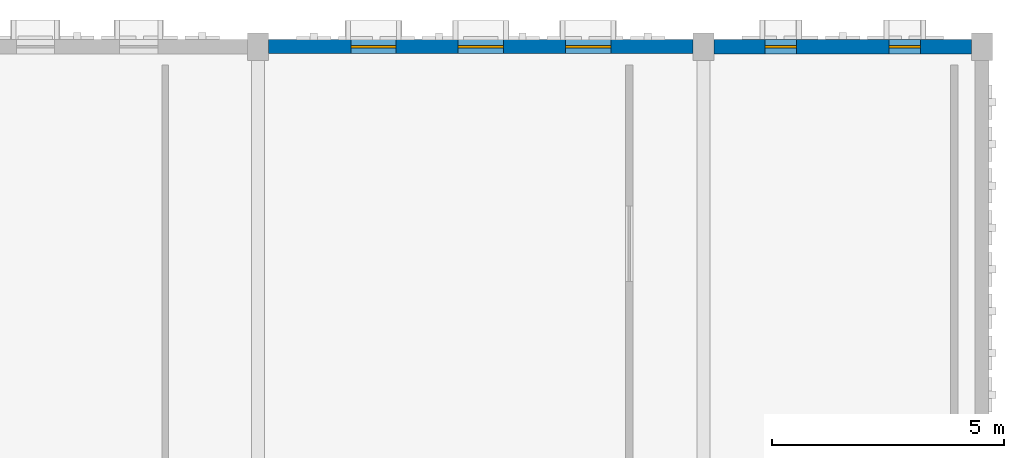
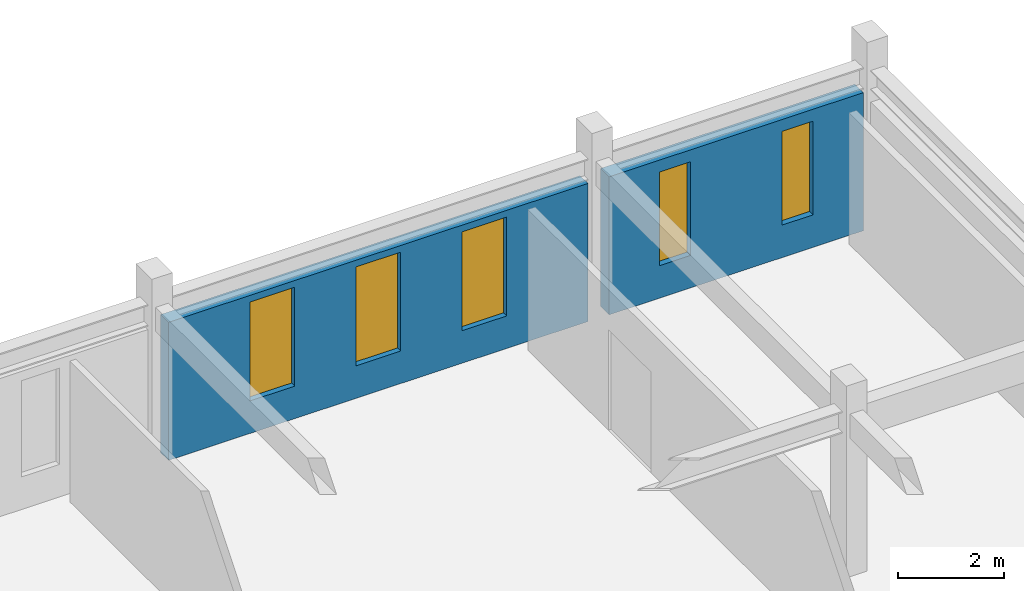
# One storey, part 51 of 69: 5 windows, 2 walls, 5 openings.
"""IFC4 building model written with IfcOpenShell, lengths in metres."""

from ifc_helpers import new_model, si_unit, direction, frame, frame_2d, origin, place, context, subcontext, project, spatial, rectangle, extrude, material, layer, layer_set, type_object, element, fill, save


model = new_model("IFC4")

# Units and contexts
model_context = context("Model", 3, precision=1e-05, world=origin(), true_north=direction((0.0, 1.0)))
body_context = subcontext(model_context, "Body", "Model", "MODEL_VIEW")
ifc_project = project(units=[si_unit("LENGTHUNIT", "METRE"), si_unit("AREAUNIT", "SQUARE_METRE"), si_unit("VOLUMEUNIT", "CUBIC_METRE"), si_unit("PLANEANGLEUNIT", "RADIAN"), si_unit("MASSUNIT", "GRAM", prefix="KILO")], contexts=[model_context])

# Site, building, storey
site_placement = place(None, origin())
site = spatial("IfcSite", under=ifc_project, at=site_placement, CompositionType="ELEMENT")
building_placement = place(site_placement, origin())
building = spatial("IfcBuilding", under=site, at=building_placement, Name="Nzembalo Square Collegiate School", CompositionType="ELEMENT")
storey_placement = place(building_placement, frame((0.0, 0.0, 5.10009765625)))
storey = spatial("IfcBuildingStorey", under=building, at=storey_placement, Name="L01", CompositionType="ELEMENT", Elevation=5.10009765625)

# Wall, openings, windows
ifc_material_1 = material(Name="Concrete C35/45", Category="concrete")
ifc_layer_1 = layer(ifc_material_1, 0.320068359375, Name="Concrete C35/45")
ifc_layer_set_1 = layer_set([ifc_layer_1], Name="Concrete C35/45")
wall_type_1 = type_object("IfcWallType", Name="W03", PredefinedType="SOLIDWALL", material=ifc_layer_set_1)
wall_1_placement = place(storey_placement, frame((159.826904296875, 114.0, 0.0), z_axis=(0.0, 0.0, 1.0), x_axis=(1.0, 0.0, 0.0)))
wall_1 = element("IfcWall", 1, at=wall_1_placement, inside=storey, type_object=wall_type_1, Name="Exterior wall W03 L01", PredefinedType="SOLIDWALL", context=body_context, shape_type="SweptSolid", body=[
    extrude(rectangle(XDim=5.546142578125, YDim=0.320068359375, at=frame_2d((2.77294921875, 0.0))), origin(), (0.0, 0.0, 1.0), 3.183837890625),
])
opening_1_placement = place(wall_1_placement, frame((1.096435546875, 0.0, 0.75)))
opening_1 = element("IfcOpeningElement", 2, at=opening_1_placement, cuts=wall_1, Name="Opening WN-L01-354", PredefinedType="OPENING", context=body_context, shape_type="SweptSolid", body=[
    extrude(rectangle(XDim=0.679931640625, YDim=2.159912109375, at=frame_2d((0.33984375, 1.080078125))), frame((0.0, 0.169921875, 0.0), z_axis=(0.0, -1.0, 0.0), x_axis=(1.0, 0.0, 0.0)), (0.0, 0.0, 1.0), 0.340087890625),
])
opening_2_placement = place(wall_1_placement, frame((3.76953125, 0.0, 0.75)))
opening_2 = element("IfcOpeningElement", 3, at=opening_2_placement, cuts=wall_1, Name="Opening WN-L01-355", PredefinedType="OPENING", context=body_context, shape_type="SweptSolid", body=[
    extrude(rectangle(XDim=0.679931640625, YDim=2.159912109375, at=frame_2d((0.33984375, 1.080078125))), frame((0.0, 0.169921875, 0.0), z_axis=(0.0, -1.0, 0.0), x_axis=(1.0, 0.0, 0.0)), (0.0, 0.0, 1.0), 0.340087890625),
])
ifc_material_2 = material(Name="Powder-coated aluminium and low-E double glazing", Category="aluminium")
window_type_1 = type_object("IfcWindowType", Name="WN59", PartitioningType="SINGLE_PANEL", PredefinedType="WINDOW", material=ifc_material_2)
window_1_placement = place(opening_1_placement, origin())
window_1 = element("IfcWindow", 4, at=window_1_placement, inside=storey, type_object=window_type_1, Name="Lancet window WN-L01-354", OverallHeight=2.159912109375, OverallWidth=0.679931640625, PartitioningType="SINGLE_PANEL", PredefinedType="WINDOW", context=body_context, shape_type="SweptSolid", body=[
    extrude(rectangle(XDim=0.679931640625, YDim=2.159912109375, at=frame_2d((0.33984375, 1.080078125))), frame((0.0, 0.030029296875, 0.0), z_axis=(0.0, -1.0, 0.0), x_axis=(1.0, 0.0, 0.0)), (0.0, 0.0, 1.0), 0.06005859375),
])
fill(opening_1, window_1)
window_2_placement = place(opening_2_placement, origin())
window_2 = element("IfcWindow", 5, at=window_2_placement, inside=storey, type_object=window_type_1, Name="Lancet window WN-L01-355", OverallHeight=2.159912109375, OverallWidth=0.679931640625, PartitioningType="SINGLE_PANEL", PredefinedType="WINDOW", context=body_context, shape_type="SweptSolid", body=[
    extrude(rectangle(XDim=0.679931640625, YDim=2.159912109375, at=frame_2d((0.33984375, 1.080078125))), frame((0.0, 0.030029296875, 0.0), z_axis=(0.0, -1.0, 0.0), x_axis=(1.0, 0.0, 0.0)), (0.0, 0.0, 1.0), 0.06005859375),
])
fill(opening_2, window_2)

ifc_material_3 = material(Name="Concrete C35/45", Category="concrete")
ifc_layer_2 = layer(ifc_material_3, 0.300048828125, Name="Concrete C35/45")
ifc_layer_set_2 = layer_set([ifc_layer_2], Name="Concrete C35/45")
wall_type_2 = type_object("IfcWallType", Name="W04", PredefinedType="SOLIDWALL", material=ifc_layer_set_2)
wall_2_placement = place(storey_placement, frame((150.22705078125, 114.0, 0.0), z_axis=(0.0, 0.0, 1.0), x_axis=(1.0, 0.0, 0.0)))
wall_2 = element("IfcWall", 6, at=wall_2_placement, inside=storey, type_object=wall_type_2, Name="Exterior wall W04 L01", PredefinedType="SOLIDWALL", context=body_context, shape_type="SweptSolid", body=[
    extrude(rectangle(XDim=9.14599609375, YDim=0.300048828125, at=frame_2d((4.572998046875, 0.0))), origin(), (0.0, 0.0, 1.0), 3.183837890625),
])
opening_3_placement = place(wall_2_placement, frame((1.771484375, 0.0, 0.75)))
opening_3 = element("IfcOpeningElement", 7, at=opening_3_placement, cuts=wall_2, Name="Opening WN-L01-335", PredefinedType="OPENING", context=body_context, shape_type="SweptSolid", body=[
    extrude(rectangle(XDim=0.97998046875, YDim=2.280029296875, at=frame_2d((0.489990234375, 1.14013671875))), frame((0.0, 0.16015625, 0.0), z_axis=(0.0, -1.0, 0.0), x_axis=(1.0, 0.0, 0.0)), (0.0, 0.0, 1.0), 0.320068359375),
])
opening_4_placement = place(wall_2_placement, frame((4.0830078125, 0.0, 0.75)))
opening_4 = element("IfcOpeningElement", 8, at=opening_4_placement, cuts=wall_2, Name="Opening WN-L01-336", PredefinedType="OPENING", context=body_context, shape_type="SweptSolid", body=[
    extrude(rectangle(XDim=0.97998046875, YDim=2.280029296875, at=frame_2d((0.489990234375, 1.14013671875))), frame((0.0, 0.16015625, 0.0), z_axis=(0.0, -1.0, 0.0), x_axis=(1.0, 0.0, 0.0)), (0.0, 0.0, 1.0), 0.320068359375),
])
opening_5_placement = place(wall_2_placement, frame((6.39453125, 0.0, 0.75)))
opening_5 = element("IfcOpeningElement", 9, at=opening_5_placement, cuts=wall_2, Name="Opening WN-L01-337", PredefinedType="OPENING", context=body_context, shape_type="SweptSolid", body=[
    extrude(rectangle(XDim=0.97998046875, YDim=2.280029296875, at=frame_2d((0.489990234375, 1.14013671875))), frame((0.0, 0.16015625, 0.0), z_axis=(0.0, -1.0, 0.0), x_axis=(1.0, 0.0, 0.0)), (0.0, 0.0, 1.0), 0.320068359375),
])
ifc_material_4 = material(Name="Powder-coated aluminium and low-E double glazing", Category="aluminium")
window_type_2 = type_object("IfcWindowType", Name="WN40", PartitioningType="SINGLE_PANEL", PredefinedType="WINDOW", material=ifc_material_4)
window_3_placement = place(opening_3_placement, origin())
window_3 = element("IfcWindow", 10, at=window_3_placement, inside=storey, type_object=window_type_2, Name="Lancet window WN-L01-335", OverallHeight=2.280029296875, OverallWidth=0.97998046875, PartitioningType="SINGLE_PANEL", PredefinedType="WINDOW", context=body_context, shape_type="SweptSolid", body=[
    extrude(rectangle(XDim=0.97998046875, YDim=2.280029296875, at=frame_2d((0.489990234375, 1.14013671875))), frame((0.0, 0.030029296875, 0.0), z_axis=(0.0, -1.0, 0.0), x_axis=(1.0, 0.0, 0.0)), (0.0, 0.0, 1.0), 0.06005859375),
])
fill(opening_3, window_3)
window_4_placement = place(opening_4_placement, origin())
window_4 = element("IfcWindow", 11, at=window_4_placement, inside=storey, type_object=window_type_2, Name="Lancet window WN-L01-336", OverallHeight=2.280029296875, OverallWidth=0.97998046875, PartitioningType="SINGLE_PANEL", PredefinedType="WINDOW", context=body_context, shape_type="SweptSolid", body=[
    extrude(rectangle(XDim=0.97998046875, YDim=2.280029296875, at=frame_2d((0.489990234375, 1.14013671875))), frame((0.0, 0.030029296875, 0.0), z_axis=(0.0, -1.0, 0.0), x_axis=(1.0, 0.0, 0.0)), (0.0, 0.0, 1.0), 0.06005859375),
])
fill(opening_4, window_4)
window_5_placement = place(opening_5_placement, origin())
window_5 = element("IfcWindow", 12, at=window_5_placement, inside=storey, type_object=window_type_2, Name="Lancet window WN-L01-337", OverallHeight=2.280029296875, OverallWidth=0.97998046875, PartitioningType="SINGLE_PANEL", PredefinedType="WINDOW", context=body_context, shape_type="SweptSolid", body=[
    extrude(rectangle(XDim=0.97998046875, YDim=2.280029296875, at=frame_2d((0.489990234375, 1.14013671875))), frame((0.0, 0.030029296875, 0.0), z_axis=(0.0, -1.0, 0.0), x_axis=(1.0, 0.0, 0.0)), (0.0, 0.0, 1.0), 0.06005859375),
])
fill(opening_5, window_5)

save(model, "model.ifc")
